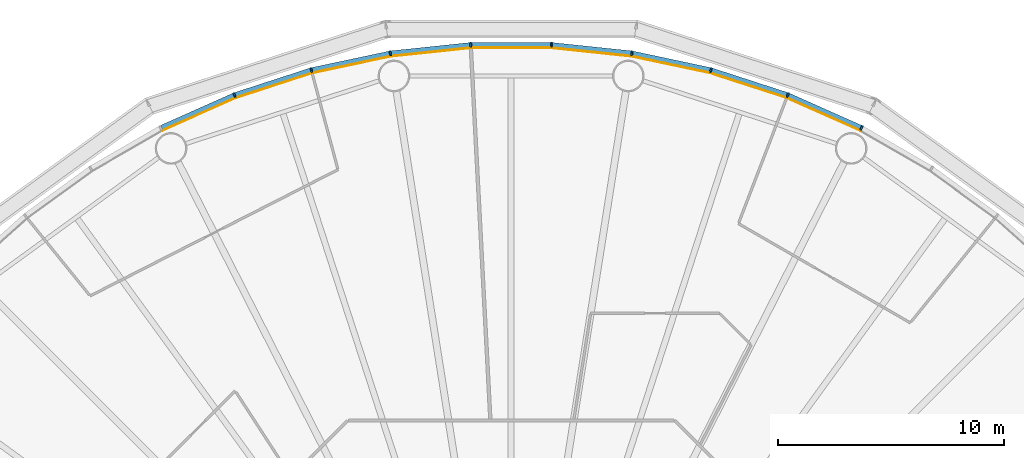
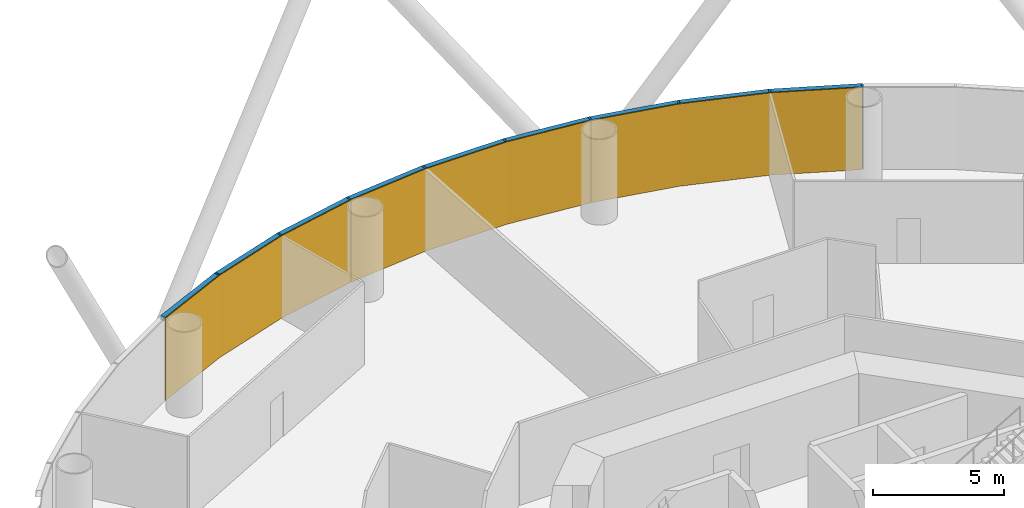
# One storey, part 12 of 13: 18 members, 3 curtain walls.
"""IFC4 building model written with IfcOpenShell, lengths in metres."""

from ifc_helpers import new_model, si_unit, direction, frame, origin, origin_2d, place, context, subcontext, project, spatial, polyline, rectangle, outline, extrude, material, layer, layer_set, material_profile, profile_set, type_object, element, aggregate, save


model = new_model("IFC4")

# Units and contexts
model_context = context("Model", 3, precision=1e-05, world=origin(), true_north=direction((0.0, 1.0)))
body_context = subcontext(model_context, "Body", "Model", "MODEL_VIEW")
ifc_project = project(units=[si_unit("LENGTHUNIT", "METRE"), si_unit("AREAUNIT", "SQUARE_METRE"), si_unit("VOLUMEUNIT", "CUBIC_METRE"), si_unit("PLANEANGLEUNIT", "RADIAN"), si_unit("MASSUNIT", "GRAM", prefix="KILO")], contexts=[model_context])

# Member
ifc_material_1 = material(Name="Anodised aluminium", Category="aluminium")
ifc_material_profile_1 = material_profile(ifc_material_1, rectangle(XDim=0.074951171875, YDim=0.219970703125, at=origin_2d()), Name="Mullion 75 x 220 mm anodised aluminium")
ifc_profile_set_1 = profile_set([ifc_material_profile_1], Name="Anodised aluminium")
member_type_1 = type_object("IfcMemberType", Name="Mullion 75 x 220 mm anodised aluminium", PredefinedType="MULLION", material=ifc_profile_set_1)
site_placement = place(None, origin())
building_placement = place(site_placement, origin())
storey_placement = place(building_placement, frame((0.0, 0.0, 38.0)))
member_1_placement = place(storey_placement, frame((105.485595703125, 110.392333984375, 0.0), z_axis=(0.0, 0.0, 1.0), x_axis=(-0.891006524188, 0.45399049974, 0.0)))
member_1 = element("IfcMember", 1, at=member_1_placement, type_object=member_type_1, Name="MULLION L07-09", PredefinedType="MULLION", context=body_context, shape_type="SweptSolid", body=[
    extrude(rectangle(XDim=0.074951171875, YDim=0.219970703125, at=origin_2d()), origin(), (0.0, 0.0, 1.0), 3.85009765625),
])

member_2_placement = place(storey_placement, frame((102.223876953125, 111.844482421875, 0.0), z_axis=(0.0, 0.0, 1.0), x_axis=(-0.933580426497, 0.358367949545, 0.0)))
member_2 = element("IfcMember", 2, at=member_2_placement, type_object=member_type_1, Name="MULLION L07-10", PredefinedType="MULLION", context=body_context, shape_type="SweptSolid", body=[
    extrude(rectangle(XDim=0.074951171875, YDim=0.219970703125, at=origin_2d()), origin(), (0.0, 0.0, 1.0), 3.85009765625),
])

member_3_placement = place(storey_placement, frame((98.828369140625, 112.94775390625, 0.0), z_axis=(0.0, 0.0, 1.0), x_axis=(-0.965925826289, 0.258819045103, 0.0)))
member_3 = element("IfcMember", 3, at=member_3_placement, type_object=member_type_1, Name="MULLION L07-11", PredefinedType="MULLION", context=body_context, shape_type="SweptSolid", body=[
    extrude(rectangle(XDim=0.074951171875, YDim=0.219970703125, at=origin_2d()), origin(), (0.0, 0.0, 1.0), 3.85009765625),
])

member_4_placement = place(storey_placement, frame((95.3359375, 113.68994140625, 0.0), z_axis=(0.0, 0.0, 1.0), x_axis=(-0.987688340595, 0.15643446504, 0.0)))
member_4 = element("IfcMember", 4, at=member_4_placement, type_object=member_type_1, Name="MULLION L07-12", PredefinedType="MULLION", context=body_context, shape_type="SweptSolid", body=[
    extrude(rectangle(XDim=0.074951171875, YDim=0.219970703125, at=origin_2d()), origin(), (0.0, 0.0, 1.0), 3.85009765625),
])

member_5_placement = place(storey_placement, frame((91.78515625, 114.063232421875, 0.0), z_axis=(0.0, 0.0, 1.0), x_axis=(-0.998629534755, 0.052335956243, 0.0)))
member_5 = element("IfcMember", 5, at=member_5_placement, type_object=member_type_1, Name="MULLION L07-13", PredefinedType="MULLION", context=body_context, shape_type="SweptSolid", body=[
    extrude(rectangle(XDim=0.074951171875, YDim=0.219970703125, at=origin_2d()), origin(), (0.0, 0.0, 1.0), 3.85009765625),
])

member_6_placement = place(storey_placement, frame((88.21484375, 114.063232421875, 0.0), z_axis=(0.0, 0.0, 1.0), x_axis=(-0.998629534755, -0.052335956243, 0.0)))
member_6 = element("IfcMember", 6, at=member_6_placement, type_object=member_type_1, Name="MULLION L07-14", PredefinedType="MULLION", context=body_context, shape_type="SweptSolid", body=[
    extrude(rectangle(XDim=0.074951171875, YDim=0.219970703125, at=origin_2d()), origin(), (0.0, 0.0, 1.0), 3.85009765625),
])

member_7_placement = place(storey_placement, frame((84.6640625, 113.68994140625, 0.0), z_axis=(0.0, 0.0, 1.0), x_axis=(-0.987688340595, -0.15643446504, 0.0)))
member_7 = element("IfcMember", 7, at=member_7_placement, type_object=member_type_1, Name="MULLION L07-15", PredefinedType="MULLION", context=body_context, shape_type="SweptSolid", body=[
    extrude(rectangle(XDim=0.074951171875, YDim=0.219970703125, at=origin_2d()), origin(), (0.0, 0.0, 1.0), 3.85009765625),
])

member_8_placement = place(storey_placement, frame((81.171630859375, 112.94775390625, 0.0), z_axis=(0.0, 0.0, 1.0), x_axis=(-0.965925826289, -0.258819045103, 0.0)))
member_8 = element("IfcMember", 8, at=member_8_placement, type_object=member_type_1, Name="MULLION L07-16", PredefinedType="MULLION", context=body_context, shape_type="SweptSolid", body=[
    extrude(rectangle(XDim=0.074951171875, YDim=0.219970703125, at=origin_2d()), origin(), (0.0, 0.0, 1.0), 3.85009765625),
])

member_9_placement = place(storey_placement, frame((77.776123046875, 111.844482421875, 0.0), z_axis=(0.0, 0.0, 1.0), x_axis=(-0.933580426497, -0.358367949545, 0.0)))
member_9 = element("IfcMember", 9, at=member_9_placement, type_object=member_type_1, Name="MULLION L07-17", PredefinedType="MULLION", context=body_context, shape_type="SweptSolid", body=[
    extrude(rectangle(XDim=0.074951171875, YDim=0.219970703125, at=origin_2d()), origin(), (0.0, 0.0, 1.0), 3.85009765625),
])

ifc_material_2 = material(Name="Anodised aluminium", Category="aluminium")
ifc_material_profile_2 = material_profile(ifc_material_2, rectangle(XDim=0.219970703125, YDim=0.199951171875, at=origin_2d()), Name="Transom 200 x 220 mm anodised aluminium")
ifc_profile_set_2 = profile_set([ifc_material_profile_2], Name="Anodised aluminium")
member_type_2 = type_object("IfcMemberType", Name="Transom 200 x 220 mm anodised aluminium", PredefinedType="USERDEFINED", material=ifc_profile_set_2)
member_10_placement = place(storey_placement, frame((105.446044921875, 110.409912109375, 3.75), z_axis=(-0.913545487371, 0.406736576304, 0.0), x_axis=(-0.406736576304, -0.913545487371, 0.0)))
member_10 = element("IfcMember", 10, at=member_10_placement, type_object=member_type_2, Name="TRANSOM L07-09", ObjectType="TRANSOM", PredefinedType="USERDEFINED", context=body_context, shape_type="SweptSolid", body=[
    extrude(rectangle(XDim=0.219970703125, YDim=0.199951171875, at=origin_2d()), origin(), (0.0, 0.0, 1.0), 3.48388671875),
])

member_11_placement = place(storey_placement, frame((102.182861328125, 111.85791015625, 3.75), z_axis=(-0.951052605696, 0.309029029702, 0.0), x_axis=(-0.309029029702, -0.951052605696, 0.0)))
member_11 = element("IfcMember", 11, at=member_11_placement, type_object=member_type_2, Name="TRANSOM L07-10", ObjectType="TRANSOM", PredefinedType="USERDEFINED", context=body_context, shape_type="SweptSolid", body=[
    extrude(rectangle(XDim=0.219970703125, YDim=0.199951171875, at=origin_2d()), origin(), (0.0, 0.0, 1.0), 3.484130859375),
])

member_12_placement = place(storey_placement, frame((98.7861328125, 112.956787109375, 3.75), z_axis=(-0.978145669426, 0.207920776701, 0.0), x_axis=(-0.207920776701, -0.978145669426, 0.0)))
member_12 = element("IfcMember", 12, at=member_12_placement, type_object=member_type_2, Name="TRANSOM L07-11", ObjectType="TRANSOM", PredefinedType="USERDEFINED", context=body_context, shape_type="SweptSolid", body=[
    extrude(rectangle(XDim=0.219970703125, YDim=0.199951171875, at=origin_2d()), origin(), (0.0, 0.0, 1.0), 3.48388671875),
])

member_13_placement = place(storey_placement, frame((95.29296875, 113.69482421875, 3.75), z_axis=(-0.994526551648, 0.104484152234, 0.0), x_axis=(-0.104484152234, -0.994526551648, 0.0)))
member_13 = element("IfcMember", 13, at=member_13_placement, type_object=member_type_2, Name="TRANSOM L07-12", ObjectType="TRANSOM", PredefinedType="USERDEFINED", context=body_context, shape_type="SweptSolid", body=[
    extrude(rectangle(XDim=0.219970703125, YDim=0.199951171875, at=origin_2d()), origin(), (0.0, 0.0, 1.0), 3.48388671875),
])

member_14_placement = place(storey_placement, frame((91.741943359375, 114.0634765625, 3.75), z_axis=(-1.0, 0.0, 0.0), x_axis=(0.0, -1.0, 0.0)))
member_14 = element("IfcMember", 14, at=member_14_placement, type_object=member_type_2, Name="TRANSOM L07-13", ObjectType="TRANSOM", PredefinedType="USERDEFINED", context=body_context, shape_type="SweptSolid", body=[
    extrude(rectangle(XDim=0.219970703125, YDim=0.199951171875, at=origin_2d()), origin(), (0.0, 0.0, 1.0), 3.48388671875),
])

member_15_placement = place(storey_placement, frame((88.171875, 114.058837890625, 3.75), z_axis=(-0.994526551648, -0.104484152234, 0.0), x_axis=(0.104484152234, -0.994526551648, 0.0)))
member_15 = element("IfcMember", 15, at=member_15_placement, type_object=member_type_2, Name="TRANSOM L07-14", ObjectType="TRANSOM", PredefinedType="USERDEFINED", context=body_context, shape_type="SweptSolid", body=[
    extrude(rectangle(XDim=0.219970703125, YDim=0.199951171875, at=origin_2d()), origin(), (0.0, 0.0, 1.0), 3.48388671875),
])

member_16_placement = place(storey_placement, frame((84.62158203125, 113.68115234375, 3.75), z_axis=(-0.978145669426, -0.207920776701, 0.0), x_axis=(0.207920776701, -0.978145669426, 0.0)))
member_16 = element("IfcMember", 16, at=member_16_placement, type_object=member_type_2, Name="TRANSOM L07-15", ObjectType="TRANSOM", PredefinedType="USERDEFINED", context=body_context, shape_type="SweptSolid", body=[
    extrude(rectangle(XDim=0.219970703125, YDim=0.199951171875, at=origin_2d()), origin(), (0.0, 0.0, 1.0), 3.48388671875),
])

member_17_placement = place(storey_placement, frame((81.130615234375, 112.9345703125, 3.75), z_axis=(-0.951052605696, -0.309029029702, 0.0), x_axis=(0.309029029702, -0.951052605696, 0.0)))
member_17 = element("IfcMember", 17, at=member_17_placement, type_object=member_type_2, Name="TRANSOM L07-16", ObjectType="TRANSOM", PredefinedType="USERDEFINED", context=body_context, shape_type="SweptSolid", body=[
    extrude(rectangle(XDim=0.219970703125, YDim=0.199951171875, at=origin_2d()), origin(), (0.0, 0.0, 1.0), 3.484130859375),
])

member_18_placement = place(storey_placement, frame((77.736572265625, 111.826904296875, 3.75), z_axis=(-0.913545487371, -0.406736576304, 0.0), x_axis=(0.406736576304, -0.913545487371, 0.0)))
member_18 = element("IfcMember", 18, at=member_18_placement, type_object=member_type_2, Name="TRANSOM L07-17", ObjectType="TRANSOM", PredefinedType="USERDEFINED", context=body_context, shape_type="SweptSolid", body=[
    extrude(rectangle(XDim=0.219970703125, YDim=0.199951171875, at=origin_2d()), origin(), (0.0, 0.0, 1.0), 3.48388671875),
])

# Site, building, storey
site = spatial("IfcSite", under=ifc_project, at=site_placement, CompositionType="ELEMENT")
building = spatial("IfcBuilding", under=site, at=building_placement, Name="Entoto Ring Tower", CompositionType="ELEMENT")
storey = spatial("IfcBuildingStorey", under=building, at=storey_placement, Name="L07", CompositionType="ELEMENT", Elevation=38.0)

# Curtain wall
ifc_material_3 = material(Name="Clear low-iron glass", Category="glass")
ifc_layer = layer(ifc_material_3, 0.0400390625)
ifc_layer_set = layer_set([ifc_layer], Name="Clear low-iron glass")
curtain_wall_type = type_object("IfcCurtainWallType", Name="Curtain wall system CW1 glazing 40 mm", PredefinedType="NOTDEFINED", material=ifc_layer_set)
curtain_wall_1_placement = place(storey_placement, origin())
curtain_wall_1 = element("IfcCurtainWall", 19, at=curtain_wall_1_placement, inside=storey, type_object=curtain_wall_type, Name="CW1 L07-04", PredefinedType="NOTDEFINED", context=body_context, shape_type="SweptSolid", body=[
    extrude(outline(polyline([(105.435791015625, 110.294189453125), (102.1845703125, 111.74169921875), (98.7998046875, 112.841552734375), (95.31884765625, 113.581298828125), (95.3125, 113.541748046875), (98.78955078125, 112.802734375), (102.170166015625, 111.704345703125), (105.41748046875, 110.258544921875), (105.435791015625, 110.294189453125)])), origin(), (0.0, 0.0, 1.0), 3.85009765625),
])

aggregate(curtain_wall_1, [member_1, member_2, member_3, member_10, member_11, member_12])

curtain_wall_2_placement = place(storey_placement, origin())
curtain_wall_2 = element("IfcCurtainWall", 20, at=curtain_wall_2_placement, inside=storey, type_object=curtain_wall_type, Name="CW1 L07-05", PredefinedType="NOTDEFINED", context=body_context, shape_type="SweptSolid", body=[
    extrude(outline(polyline([(95.31884765625, 113.581298828125), (91.779541015625, 113.953369140625), (88.220458984375, 113.953369140625), (84.68115234375, 113.581298828125), (84.6875, 113.541748046875), (88.22265625, 113.913330078125), (91.77734375, 113.913330078125), (95.3125, 113.541748046875), (95.31884765625, 113.581298828125)])), origin(), (0.0, 0.0, 1.0), 3.85009765625),
])

aggregate(curtain_wall_2, [member_4, member_5, member_6, member_13, member_14, member_15])

curtain_wall_3_placement = place(storey_placement, origin())
curtain_wall_3 = element("IfcCurtainWall", 21, at=curtain_wall_3_placement, inside=storey, type_object=curtain_wall_type, Name="CW1 L07-06", PredefinedType="NOTDEFINED", context=body_context, shape_type="SweptSolid", body=[
    extrude(outline(polyline([(84.68115234375, 113.581298828125), (81.2001953125, 112.841552734375), (77.8154296875, 111.74169921875), (74.564208984375, 110.294189453125), (74.58251953125, 110.258544921875), (77.829833984375, 111.704345703125), (81.21044921875, 112.802734375), (84.6875, 113.541748046875), (84.68115234375, 113.581298828125)])), origin(), (0.0, 0.0, 1.0), 3.85009765625),
])

aggregate(curtain_wall_3, [member_7, member_8, member_9, member_16, member_17, member_18])

save(model, "model.ifc")
